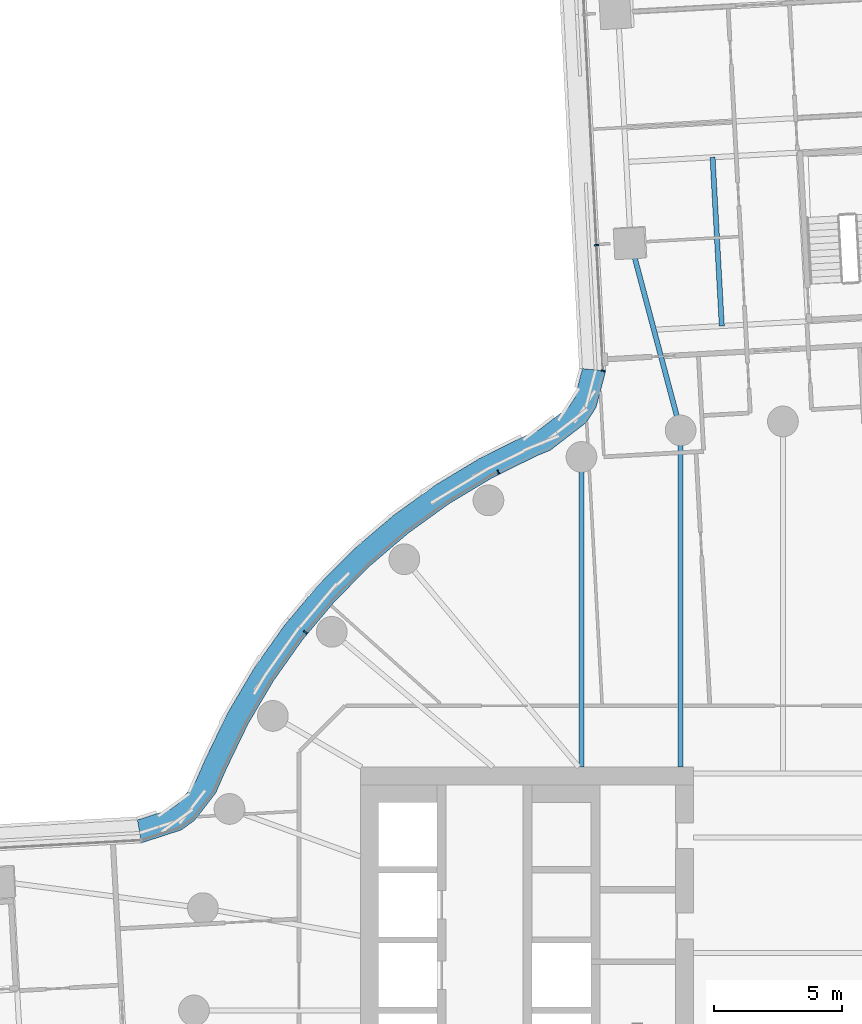
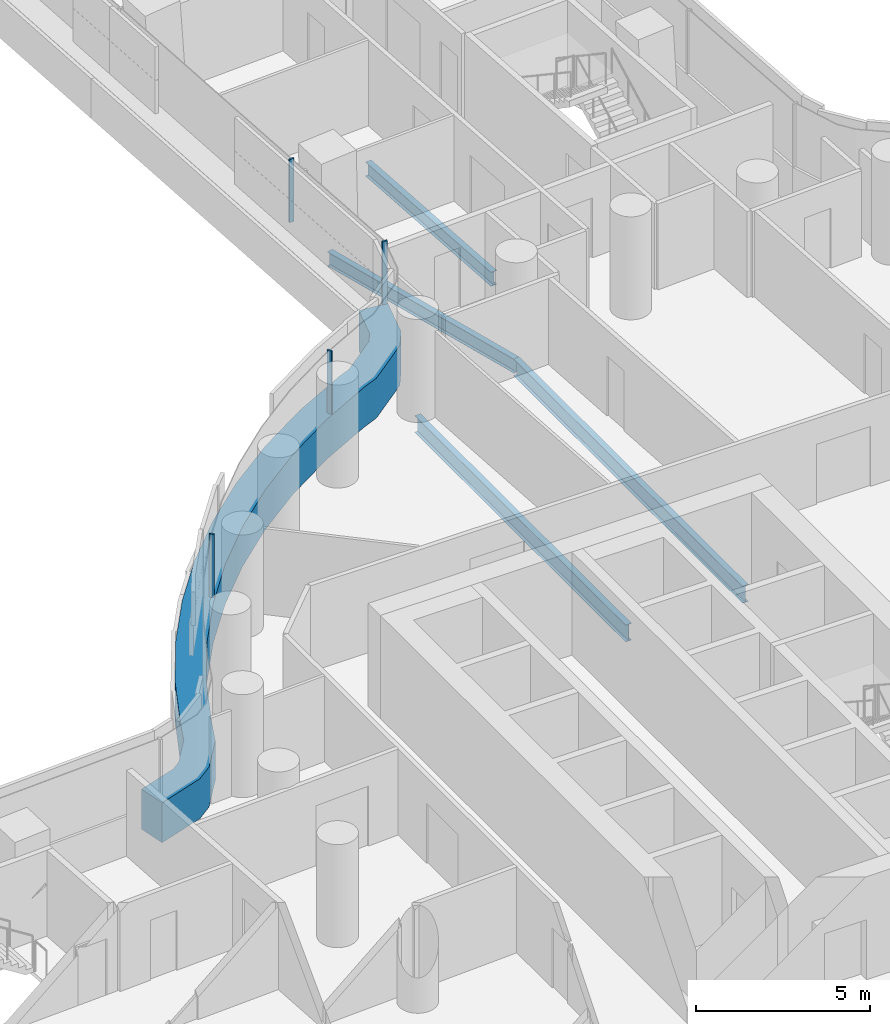
# One storey, part 13 of 31: 5 members, 4 beams, 2 elements without a shape of their own.
"""IFC4 building model written with IfcOpenShell, lengths in metres."""

from ifc_helpers import new_model, si_unit, direction, frame, origin, origin_2d, place, context, subcontext, project, spatial, polyline, rectangle, i_section, outline, extrude, material, layer, layer_set, material_profile, profile_set, type_object, element, aggregate, save


model = new_model("IFC4")

# Units and contexts
model_context = context("Model", 3, precision=1e-05, world=origin(), true_north=direction((0.0, 1.0)))
body_context = subcontext(model_context, "Body", "Model", "MODEL_VIEW")
ifc_project = project(units=[si_unit("LENGTHUNIT", "METRE"), si_unit("AREAUNIT", "SQUARE_METRE"), si_unit("VOLUMEUNIT", "CUBIC_METRE"), si_unit("PLANEANGLEUNIT", "RADIAN"), si_unit("MASSUNIT", "GRAM", prefix="KILO")], contexts=[model_context])

# Site, building, storey
site_placement = place(None, origin())
site = spatial("IfcSite", under=ifc_project, at=site_placement, CompositionType="ELEMENT")
building_placement = place(site_placement, origin())
building = spatial("IfcBuilding", under=site, at=building_placement, Name="Tamarind Cross Interchange Tower", CompositionType="ELEMENT")
storey_placement = place(building_placement, frame((0.0, 0.0, 45.25)))
storey = spatial("IfcBuildingStorey", under=building, at=storey_placement, Name="L09", CompositionType="ELEMENT", Elevation=45.25)

# Beams
ifc_material_1 = material(Name="Steel Q355B", Category="steel")
ifc_material_profile_1 = material_profile(ifc_material_1, i_section(OverallWidth=0.198974609375, OverallDepth=0.49609375, WebThickness=0.009033203125, FlangeThickness=0.013916015625, FilletRadius=0.012939453125, at=origin_2d()), Name="HN 496x199x9x14")
ifc_profile_set_1 = profile_set([ifc_material_profile_1], Name="Steel Q355B")
beam_type_1 = type_object("IfcBeamType", Name="Composite beam HN 496x199x9x14 Q355B", PredefinedType="BEAM", material=ifc_profile_set_1)
beam_1_placement = place(storey_placement, frame((-5.945556640625, 29.98681640625, -0.387939453125), z_axis=(0.25709012378, -0.966387431755, 0.0), x_axis=(0.966387431755, 0.25709012378, 0.0)))
element("IfcBeam", 1, at=beam_1_placement, inside=storey, type_object=beam_type_1, Name="Beam N-linkep", PredefinedType="BEAM", context=body_context, shape_type="SweptSolid", body=[
    extrude(i_section(OverallWidth=0.198974609375, OverallDepth=0.49609375, WebThickness=0.009033203125, FlangeThickness=0.013916015625, FilletRadius=0.012939453125, at=origin_2d()), origin(), (0.0, 0.0, 1.0), 7.59130859375),
])
beam_2_placement = place(storey_placement, frame((-2.386962890625, 26.7265625, -0.387939453125), z_axis=(-0.054673040098, 0.9985043108, 0.0), x_axis=(-0.9985043108, -0.054673040098, 0.0)))
element("IfcBeam", 2, at=beam_2_placement, inside=storey, type_object=beam_type_1, Name="Beam N-stripp", PredefinedType="BEAM", context=body_context, shape_type="SweptSolid", body=[
    extrude(i_section(OverallWidth=0.198974609375, OverallDepth=0.49609375, WebThickness=0.009033203125, FlangeThickness=0.013916015625, FilletRadius=0.012939453125, at=origin_2d()), origin(), (0.0, 0.0, 1.0), 6.599853515625),
])
ifc_material_profile_2 = material_profile(ifc_material_1, i_section(OverallWidth=0.198974609375, OverallDepth=0.595947265625, WebThickness=0.010009765625, FlangeThickness=0.014892578125, FilletRadius=0.012939453125, at=origin_2d()), Name="HN 596x199x10x15")
ifc_profile_set_2 = profile_set([ifc_material_profile_2], Name="Steel Q355B")
beam_type_2 = type_object("IfcBeamType", Name="Composite beam HN 596x199x10x15 Q355B", PredefinedType="BEAM", material=ifc_profile_set_2)
beam_3_placement = place(storey_placement, frame((-3.993896484375, 22.650634765625, -0.43798828125), z_axis=(0.0, -1.0, 0.0), x_axis=(1.0, 0.0, 0.0)))
element("IfcBeam", 3, at=beam_3_placement, inside=storey, type_object=beam_type_2, Name="Beam HH10", PredefinedType="BEAM", context=body_context, shape_type="SweptSolid", body=[
    extrude(i_section(OverallWidth=0.198974609375, OverallDepth=0.595947265625, WebThickness=0.010009765625, FlangeThickness=0.014892578125, FilletRadius=0.012939453125, at=origin_2d()), origin(), (0.0, 0.0, 1.0), 13.150634765625),
])
beam_4_placement = place(storey_placement, frame((-7.866455078125, 21.613037109375, -0.43798828125), z_axis=(0.0, -1.0, 0.0), x_axis=(1.0, 0.0, 0.0)))
element("IfcBeam", 4, at=beam_4_placement, inside=storey, type_object=beam_type_2, Name="Beam HH11", PredefinedType="BEAM", context=body_context, shape_type="SweptSolid", body=[
    extrude(i_section(OverallWidth=0.198974609375, OverallDepth=0.595947265625, WebThickness=0.010009765625, FlangeThickness=0.014892578125, FilletRadius=0.012939453125, at=origin_2d()), origin(), (0.0, 0.0, 1.0), 12.113037109375),
])

# Curtain wall, member
ifc_material_2 = material(Name="Aluminium 6063-T6", Category="aluminium")
ifc_layer = layer(ifc_material_2, 0.159912109375)
ifc_layer_set = layer_set([ifc_layer], Name="Aluminium 6063-T6")
curtain_wall_type = type_object("IfcCurtainWallType", Name="Office curtain wall, 9.0 m bays", PredefinedType="NOTDEFINED", material=ifc_layer_set)
curtain_wall_1_placement = place(storey_placement, origin())
curtain_wall_1 = element("IfcCurtainWall", 5, at=curtain_wall_1_placement, inside=storey, type_object=curtain_wall_type, Name="CWS-L09-14", PredefinedType="NOTDEFINED")
ifc_material_3 = material(Name="Aluminium and insulated spandrel panel", Category="aluminium")
member_type_1 = type_object("IfcMemberType", Name="Floor-edge blade transom", PredefinedType="USERDEFINED", material=ifc_material_3)
member_1_placement = place(storey_placement, origin())
member_1 = element("IfcMember", 6, at=member_1_placement, type_object=member_type_1, Name="CWT-L09-14", ObjectType="TRANSOM", PredefinedType="USERDEFINED", context=body_context, shape_type="SweptSolid", body=[
    extrude(outline(polyline([(-6.921142578125, 24.969970703125), (-7.297607421875, 23.5478515625), (-7.6767578125, 22.958984375), (-9.08349609375, 21.874755859375), (-9.610107421875, 21.659423828125), (-11.367431640625, 20.791015625), (-13.045654296875, 19.78125), (-14.634521484375, 18.636474609375), (-16.12353515625, 17.3642578125), (-17.50244140625, 15.973388671875), (-18.76171875, 14.4736328125), (-19.892822265625, 12.874755859375), (-20.88818359375, 11.188232421875), (-21.74365234375, 9.4189453125), (-22.15234375, 8.486083984375), (-22.972900390625, 7.424560546875), (-23.49365234375, 7.04736328125), (-25.04296875, 6.54345703125), (-25.20947265625, 7.435546875), (-23.90673828125, 7.859375), (-23.605712890625, 8.077392578125), (-22.93212890625, 8.94873046875), (-22.561279296875, 9.79541015625), (-21.68212890625, 11.613525390625), (-20.64892578125, 13.3642578125), (-19.474853515625, 15.023681640625), (-18.167724609375, 16.580810546875), (-16.736572265625, 18.0244140625), (-15.19091796875, 19.344970703125), (-13.54150390625, 20.533203125), (-11.799560546875, 21.581298828125), (-9.980224609375, 22.48046875), (-9.536376953125, 22.661865234375), (-8.34912109375, 23.576904296875), (-8.131103515625, 23.91552734375), (-7.827392578125, 25.063720703125), (-6.921142578125, 24.969970703125)])), origin(), (0.0, 0.0, 1.0), 1.39990234375),
])

curtain_wall_2_placement = place(storey_placement, origin())
curtain_wall_2 = element("IfcCurtainWall", 7, at=curtain_wall_2_placement, inside=storey, type_object=curtain_wall_type, Name="CWS-L09-13", PredefinedType="NOTDEFINED")
ifc_material_profile_3 = material_profile(ifc_material_2, rectangle(XDim=0.06005859375, YDim=0.159912109375, at=origin_2d()), Name="Mullion CW1")
ifc_profile_set_3 = profile_set([ifc_material_profile_3], Name="Aluminium 6063-T6")
member_type_2 = type_object("IfcMemberType", Name="Mullion CW1", PredefinedType="MULLION", material=ifc_profile_set_3)
member_2_placement = place(storey_placement, frame((-7.279541015625, 29.88330078125, 1.39990234375), z_axis=(0.0, 0.0, 1.0), x_axis=(0.052477900426, -0.998622085659, 0.0)))
member_2 = element("IfcMember", 8, at=member_2_placement, type_object=member_type_2, Name="CWM-L09-13-02", PredefinedType="MULLION", context=body_context, shape_type="SweptSolid", body=[
    extrude(rectangle(XDim=0.06005859375, YDim=0.159912109375, at=origin_2d()), origin(), (0.0, 0.0, 1.0), 2.210205078125),
])
aggregate(curtain_wall_2, [member_2])

# Member
member_3_placement = place(storey_placement, frame((-7.02197265625, 24.98046875, 1.39990234375), z_axis=(0.0, 0.0, 1.0), x_axis=(-0.102897644272, -0.994691949703, 0.0)))
member_3 = element("IfcMember", 9, at=member_3_placement, type_object=member_type_2, Name="CWM-L09-14-00", PredefinedType="MULLION", context=body_context, shape_type="SweptSolid", body=[
    extrude(rectangle(XDim=0.06005859375, YDim=0.159912109375, at=origin_2d()), origin(), (0.0, 0.0, 1.0), 2.210205078125),
])

member_4_placement = place(storey_placement, frame((-11.118896484375, 21.025390625, 1.39990234375), z_axis=(0.0, 0.0, 1.0), x_axis=(-0.896492548518, -0.443058811505, 0.0)))
member_4 = element("IfcMember", 10, at=member_4_placement, type_object=member_type_2, Name="CWM-L09-14-01", PredefinedType="MULLION", context=body_context, shape_type="SweptSolid", body=[
    extrude(rectangle(XDim=0.06005859375, YDim=0.159912109375, at=origin_2d()), origin(), (0.0, 0.0, 1.0), 2.210205078125),
])

member_5_placement = place(storey_placement, frame((-18.648681640625, 14.763916015625, 1.39990234375), z_axis=(0.0, 0.0, 1.0), x_axis=(-0.643009266048, -0.765858396687, 0.0)))
member_5 = element("IfcMember", 11, at=member_5_placement, type_object=member_type_2, Name="CWM-L09-14-02", PredefinedType="MULLION", context=body_context, shape_type="SweptSolid", body=[
    extrude(rectangle(XDim=0.06005859375, YDim=0.159912109375, at=origin_2d()), origin(), (0.0, 0.0, 1.0), 2.210205078125),
])

aggregate(curtain_wall_1, [member_3, member_4, member_5, member_1])

save(model, "model.ifc")
